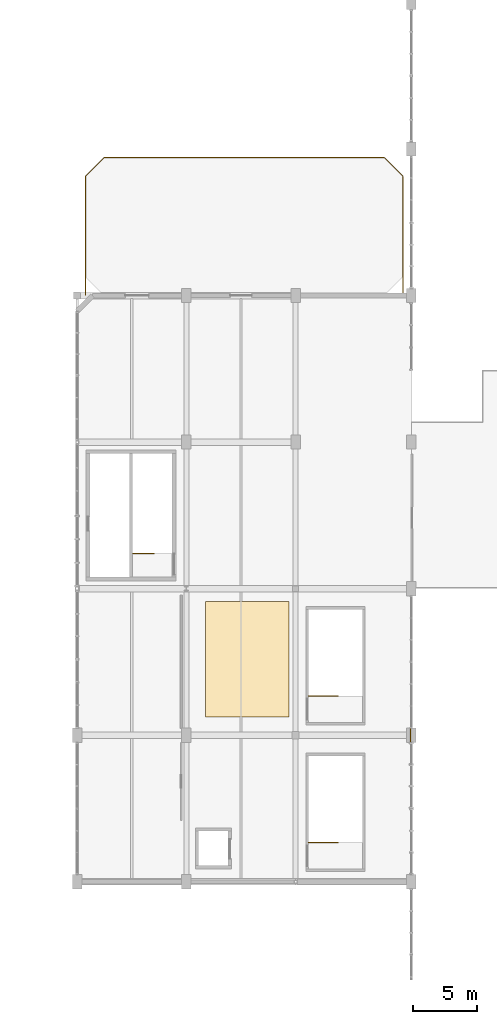
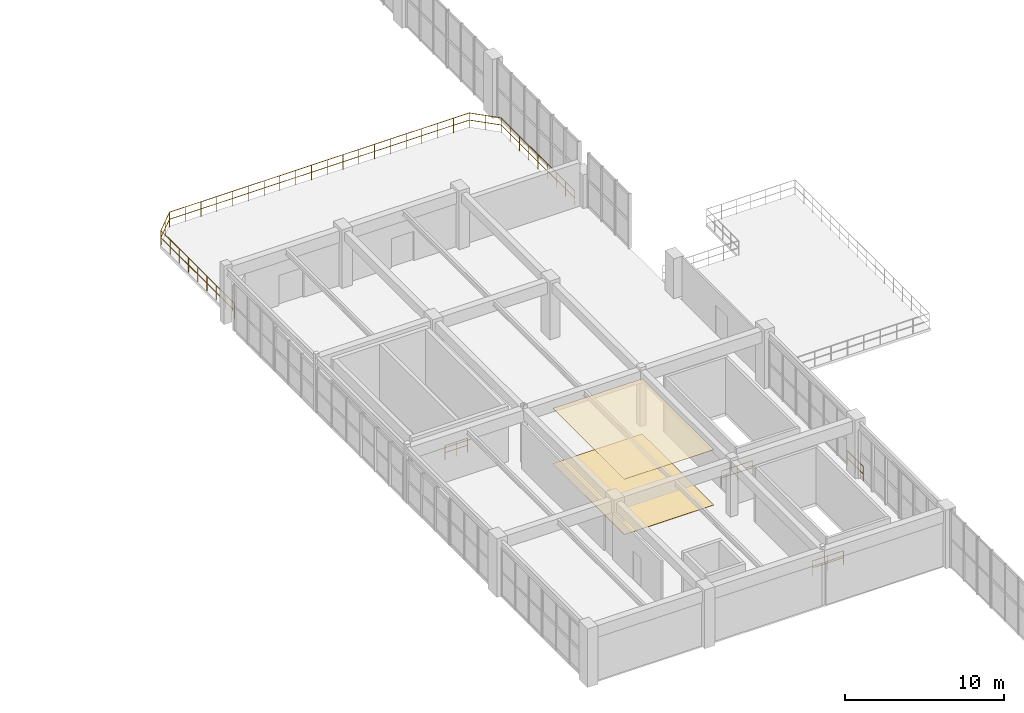
# One storey, part 77 of 80: 5 railings, 2 coverings.
"""IFC4 building model written with IfcOpenShell, lengths in metres."""

from ifc_helpers import new_model, si_unit, direction, frame, origin, origin_2d, place, context, subcontext, project, spatial, polyline, circle, outline, extrude, material, layer, layer_set, type_object, element, save


model = new_model("IFC4")

# Units and contexts
model_context = context("Model", 3, precision=1e-05, world=origin(), true_north=direction((0.0, 1.0)))
body_context = subcontext(model_context, "Body", "Model", "MODEL_VIEW")
ifc_project = project(units=[si_unit("LENGTHUNIT", "METRE"), si_unit("AREAUNIT", "SQUARE_METRE"), si_unit("VOLUMEUNIT", "CUBIC_METRE"), si_unit("PLANEANGLEUNIT", "RADIAN"), si_unit("MASSUNIT", "GRAM", prefix="KILO"), si_unit("POWERUNIT", "WATT"), si_unit("THERMODYNAMICTEMPERATUREUNIT", "KELVIN")], contexts=[model_context])

# Site, building, storey
site_placement = place(None, origin())
site = spatial("IfcSite", under=ifc_project, at=site_placement, CompositionType="ELEMENT")
building_placement = place(site_placement, origin())
building = spatial("IfcBuilding", under=site, at=building_placement, Name="Kelmbourne Parkland Aquatics Centre", CompositionType="ELEMENT")
storey_placement = place(building_placement, frame((0.0, 0.0, 10.199951171875)))
storey = spatial("IfcBuildingStorey", under=building, at=storey_placement, Name="L02", CompositionType="ELEMENT", Elevation=10.199951171875)

# Coverings
ifc_material_1 = material(Name="Moisture-resistant acoustic mineral-fibre baffle ceiling", Category="gypsum")
ifc_layer_1 = layer(ifc_material_1, 0.02490234375)
ifc_layer_set_1 = layer_set([ifc_layer_1], Name="Moisture-resistant acoustic mineral-fibre baffle ceiling")
covering_type_1 = type_object("IfcCoveringType", Name="COV-CLG-AC", PredefinedType="CEILING", material=ifc_layer_set_1)
covering_1_placement = place(storey_placement, frame((0.0, 0.0, 4.235107421875)))
element("IfcCovering", 1, at=covering_1_placement, inside=storey, type_object=covering_type_1, Name="ClubOffices acoustic ceiling baffles", PredefinedType="CEILING", context=body_context, shape_type="SweptSolid", body=[
    extrude(outline(polyline([(112.0, 25.0), (118.5, 25.0), (118.5, 34.0), (112.0, 34.0), (112.0, 25.0)])), origin(), (0.0, 0.0, 1.0), 0.02490234375),
])
ifc_material_2 = material(Name="Anti-slip vitrified ceramic aquatic deck tile", Category="ceramic")
ifc_layer_2 = layer(ifc_material_2, 0.02001953125)
ifc_layer_set_2 = layer_set([ifc_layer_2], Name="Anti-slip vitrified ceramic aquatic deck tile")
covering_type_2 = type_object("IfcCoveringType", Name="COV-FLR-TILE", PredefinedType="FLOORING", material=ifc_layer_set_2)
covering_2_placement = place(storey_placement, origin())
element("IfcCovering", 2, at=covering_2_placement, inside=storey, type_object=covering_type_2, Name="ClubOffices anti-slip floor tiling", PredefinedType="FLOORING", context=body_context, shape_type="SweptSolid", body=[
    extrude(outline(polyline([(112.0, 25.0), (118.5, 25.0), (118.5, 34.0), (112.0, 34.0), (112.0, 25.0)])), origin(), (0.0, 0.0, 1.0), 0.02001953125),
])

# Railings
ifc_material_3 = material(Name="Grade 316 stainless steel and laminated glass balustrade", Category="glass")
ifc_layer_3 = layer(ifc_material_3, 0.06005859375)
ifc_layer_set_3 = layer_set([ifc_layer_3], Name="Grade 316 stainless steel and laminated glass balustrade")
railing_type_1 = type_object("IfcRailingType", Name="RL-BL-114", PredefinedType="BALUSTRADE", material=ifc_layer_set_3)
railing_1_placement = place(storey_placement, frame((102.64990234375, 57.820068359375, 0.0)))
element("IfcRailing", 3, at=railing_1_placement, inside=storey, type_object=railing_type_1, Name="Safety balustrade BAL-TER-L02-V4", PredefinedType="BALUSTRADE", context=body_context, shape_type="SweptSolid", body=[
    extrude(circle(Radius=0.02392578125, at=origin_2d()), frame((0.0, 0.0, 1.11572265625), z_axis=(0.0, 1.0, 0.0), x_axis=(-1.0, 0.0, 0.0)), (0.0, 0.0, 1.0), 9.260009765625),
    extrude(circle(Radius=0.02392578125, at=origin_2d()), frame((0.0, 0.0, 0.56982421875), z_axis=(0.0, 1.0, 0.0), x_axis=(-1.0, 0.0, 0.0)), (0.0, 0.0, 1.0), 9.260009765625),
    extrude(circle(Radius=0.02392578125, at=origin_2d()), frame((0.0, 9.260009765625, 1.11572265625), z_axis=(0.707165493918, 0.70704806358, 0.0), x_axis=(-0.70704806358, 0.707165493918, 0.0)), (0.0, 0.0, 1.0), 2.0791015625),
    extrude(circle(Radius=0.02392578125, at=origin_2d()), frame((0.0, 9.260009765625, 0.56982421875), z_axis=(0.707165493918, 0.70704806358, 0.0), x_axis=(-0.70704806358, 0.707165493918, 0.0)), (0.0, 0.0, 1.0), 2.0791015625),
    extrude(circle(Radius=0.02392578125, at=origin_2d()), frame((1.47021484375, 10.72998046875, 1.11572265625), z_axis=(1.0, 0.0, 0.0), x_axis=(0.0, 1.0, 0.0)), (0.0, 0.0, 1.0), 21.759765625),
    extrude(circle(Radius=0.02392578125, at=origin_2d()), frame((1.47021484375, 10.72998046875, 0.56982421875), z_axis=(1.0, 0.0, 0.0), x_axis=(0.0, 1.0, 0.0)), (0.0, 0.0, 1.0), 21.759765625),
    extrude(circle(Radius=0.02392578125, at=origin_2d()), frame((23.22998046875, 10.72998046875, 1.11572265625), z_axis=(0.707165493918, -0.70704806358, 0.0), x_axis=(0.70704806358, 0.707165493918, 0.0)), (0.0, 0.0, 1.0), 2.0791015625),
    extrude(circle(Radius=0.02392578125, at=origin_2d()), frame((23.22998046875, 10.72998046875, 0.56982421875), z_axis=(0.707165493918, -0.70704806358, 0.0), x_axis=(0.70704806358, 0.707165493918, 0.0)), (0.0, 0.0, 1.0), 2.0791015625),
    extrude(circle(Radius=0.02392578125, at=origin_2d()), frame((24.7001953125, 9.260009765625, 1.11572265625), z_axis=(0.0, -1.0, 0.0), x_axis=(1.0, 0.0, 0.0)), (0.0, 0.0, 1.0), 9.260009765625),
    extrude(circle(Radius=0.02392578125, at=origin_2d()), frame((24.7001953125, 9.260009765625, 0.56982421875), z_axis=(0.0, -1.0, 0.0), x_axis=(1.0, 0.0, 0.0)), (0.0, 0.0, 1.0), 9.260009765625),
    extrude(circle(Radius=0.02099609375, at=origin_2d()), origin(), (0.0, 0.0, 1.0), 1.091796875),
    extrude(circle(Radius=0.02099609375, at=origin_2d()), frame((0.0, 1.157470703125, 0.0)), (0.0, 0.0, 1.0), 1.091796875),
    extrude(circle(Radius=0.02099609375, at=origin_2d()), frame((0.0, 2.31494140625, 0.0)), (0.0, 0.0, 1.0), 1.091796875),
    extrude(circle(Radius=0.02099609375, at=origin_2d()), frame((0.0, 3.472412109375, 0.0)), (0.0, 0.0, 1.0), 1.091796875),
    extrude(circle(Radius=0.02099609375, at=origin_2d()), frame((0.0, 4.6298828125, 0.0)), (0.0, 0.0, 1.0), 1.091796875),
    extrude(circle(Radius=0.02099609375, at=origin_2d()), frame((0.0, 5.78759765625, 0.0)), (0.0, 0.0, 1.0), 1.091796875),
    extrude(circle(Radius=0.02099609375, at=origin_2d()), frame((0.0, 6.945068359375, 0.0)), (0.0, 0.0, 1.0), 1.091796875),
    extrude(circle(Radius=0.02099609375, at=origin_2d()), frame((0.0, 8.1025390625, 0.0)), (0.0, 0.0, 1.0), 1.091796875),
    extrude(circle(Radius=0.02099609375, at=origin_2d()), frame((0.0, 9.260009765625, 0.0)), (0.0, 0.0, 1.0), 1.091796875),
    extrude(circle(Radius=0.02099609375, at=origin_2d()), frame((0.735107421875, 9.9951171875, 0.0)), (0.0, 0.0, 1.0), 1.091796875),
    extrude(circle(Radius=0.02099609375, at=origin_2d()), frame((1.47021484375, 10.72998046875, 0.0)), (0.0, 0.0, 1.0), 1.091796875),
    extrude(circle(Radius=0.02099609375, at=origin_2d()), frame((2.615478515625, 10.72998046875, 0.0)), (0.0, 0.0, 1.0), 1.091796875),
    extrude(circle(Radius=0.02099609375, at=origin_2d()), frame((3.7607421875, 10.72998046875, 0.0)), (0.0, 0.0, 1.0), 1.091796875),
    extrude(circle(Radius=0.02099609375, at=origin_2d()), frame((4.906005859375, 10.72998046875, 0.0)), (0.0, 0.0, 1.0), 1.091796875),
    extrude(circle(Radius=0.02099609375, at=origin_2d()), frame((6.05126953125, 10.72998046875, 0.0)), (0.0, 0.0, 1.0), 1.091796875),
    extrude(circle(Radius=0.02099609375, at=origin_2d()), frame((7.196533203125, 10.72998046875, 0.0)), (0.0, 0.0, 1.0), 1.091796875),
    extrude(circle(Radius=0.02099609375, at=origin_2d()), frame((8.341796875, 10.72998046875, 0.0)), (0.0, 0.0, 1.0), 1.091796875),
    extrude(circle(Radius=0.02099609375, at=origin_2d()), frame((9.487060546875, 10.72998046875, 0.0)), (0.0, 0.0, 1.0), 1.091796875),
    extrude(circle(Radius=0.02099609375, at=origin_2d()), frame((10.63232421875, 10.72998046875, 0.0)), (0.0, 0.0, 1.0), 1.091796875),
    extrude(circle(Radius=0.02099609375, at=origin_2d()), frame((11.777587890625, 10.72998046875, 0.0)), (0.0, 0.0, 1.0), 1.091796875),
    extrude(circle(Radius=0.02099609375, at=origin_2d()), frame((12.922607421875, 10.72998046875, 0.0)), (0.0, 0.0, 1.0), 1.091796875),
    extrude(circle(Radius=0.02099609375, at=origin_2d()), frame((14.06787109375, 10.72998046875, 0.0)), (0.0, 0.0, 1.0), 1.091796875),
    extrude(circle(Radius=0.02099609375, at=origin_2d()), frame((15.213134765625, 10.72998046875, 0.0)), (0.0, 0.0, 1.0), 1.091796875),
    extrude(circle(Radius=0.02099609375, at=origin_2d()), frame((16.3583984375, 10.72998046875, 0.0)), (0.0, 0.0, 1.0), 1.091796875),
    extrude(circle(Radius=0.02099609375, at=origin_2d()), frame((17.503662109375, 10.72998046875, 0.0)), (0.0, 0.0, 1.0), 1.091796875),
    extrude(circle(Radius=0.02099609375, at=origin_2d()), frame((18.64892578125, 10.72998046875, 0.0)), (0.0, 0.0, 1.0), 1.091796875),
    extrude(circle(Radius=0.02099609375, at=origin_2d()), frame((19.794189453125, 10.72998046875, 0.0)), (0.0, 0.0, 1.0), 1.091796875),
    extrude(circle(Radius=0.02099609375, at=origin_2d()), frame((20.939453125, 10.72998046875, 0.0)), (0.0, 0.0, 1.0), 1.091796875),
    extrude(circle(Radius=0.02099609375, at=origin_2d()), frame((22.084716796875, 10.72998046875, 0.0)), (0.0, 0.0, 1.0), 1.091796875),
    extrude(circle(Radius=0.02099609375, at=origin_2d()), frame((23.22998046875, 10.72998046875, 0.0)), (0.0, 0.0, 1.0), 1.091796875),
    extrude(circle(Radius=0.02099609375, at=origin_2d()), frame((23.965087890625, 9.9951171875, 0.0)), (0.0, 0.0, 1.0), 1.091796875),
    extrude(circle(Radius=0.02099609375, at=origin_2d()), frame((24.7001953125, 9.260009765625, 0.0)), (0.0, 0.0, 1.0), 1.091796875),
    extrude(circle(Radius=0.02099609375, at=origin_2d()), frame((24.7001953125, 8.1025390625, 0.0)), (0.0, 0.0, 1.0), 1.091796875),
    extrude(circle(Radius=0.02099609375, at=origin_2d()), frame((24.7001953125, 6.945068359375, 0.0)), (0.0, 0.0, 1.0), 1.091796875),
    extrude(circle(Radius=0.02099609375, at=origin_2d()), frame((24.7001953125, 5.78759765625, 0.0)), (0.0, 0.0, 1.0), 1.091796875),
    extrude(circle(Radius=0.02099609375, at=origin_2d()), frame((24.7001953125, 4.6298828125, 0.0)), (0.0, 0.0, 1.0), 1.091796875),
    extrude(circle(Radius=0.02099609375, at=origin_2d()), frame((24.7001953125, 3.472412109375, 0.0)), (0.0, 0.0, 1.0), 1.091796875),
    extrude(circle(Radius=0.02099609375, at=origin_2d()), frame((24.7001953125, 2.31494140625, 0.0)), (0.0, 0.0, 1.0), 1.091796875),
    extrude(circle(Radius=0.02099609375, at=origin_2d()), frame((24.7001953125, 1.157470703125, 0.0)), (0.0, 0.0, 1.0), 1.091796875),
    extrude(circle(Radius=0.02099609375, at=origin_2d()), frame((24.7001953125, 0.0, 0.0)), (0.0, 0.0, 1.0), 1.091796875),
])
railing_2_placement = place(storey_placement, frame((127.949951171875, 22.60009765625, 0.0)))
element("IfcRailing", 4, at=railing_2_placement, inside=storey, type_object=railing_type_1, Name="Safety balustrade BAL-JCT-1", PredefinedType="BALUSTRADE", context=body_context, shape_type="SweptSolid", body=[
    extrude(circle(Radius=0.02392578125, at=origin_2d()), frame((0.0, 0.0, 1.11572265625), z_axis=(0.0, 1.0, 0.0), x_axis=(-1.0, 0.0, 0.0)), (0.0, 0.0, 1.0), 2.0),
    extrude(circle(Radius=0.02392578125, at=origin_2d()), frame((0.0, 0.0, 0.56982421875), z_axis=(0.0, 1.0, 0.0), x_axis=(-1.0, 0.0, 0.0)), (0.0, 0.0, 1.0), 2.0),
    extrude(circle(Radius=0.02099609375, at=origin_2d()), origin(), (0.0, 0.0, 1.0), 1.091796875),
    extrude(circle(Radius=0.02099609375, at=origin_2d()), frame((0.0, 1.0, 0.0)), (0.0, 0.0, 1.0), 1.091796875),
    extrude(circle(Radius=0.02099609375, at=origin_2d()), frame((0.0, 2.0, 0.0)), (0.0, 0.0, 1.0), 1.091796875),
])
ifc_material_4 = material(Name="Grade 316 marine stainless steel", Category="steel")
railing_type_2 = type_object("IfcRailingType", Name="RL-GD-112", PredefinedType="GUARDRAIL", material=ifc_material_4)
railing_3_placement = place(storey_placement, frame((106.344970703125, 37.75, 0.0)))
element("IfcRailing", 5, at=railing_3_placement, inside=storey, type_object=railing_type_2, Name="East Spine Club and Village Core Stair ST04 top well guardrail", PredefinedType="GUARDRAIL", context=body_context, shape_type="SweptSolid", body=[
    extrude(circle(Radius=0.02392578125, at=origin_2d()), frame((0.0, 0.0, 1.09619140625), z_axis=(1.0, 0.0, 0.0), x_axis=(0.0, 1.0, 0.0)), (0.0, 0.0, 1.0), 1.635009765625),
    extrude(circle(Radius=0.02392578125, at=origin_2d()), frame((0.0, 0.0, 0.56005859375), z_axis=(1.0, 0.0, 0.0), x_axis=(0.0, 1.0, 0.0)), (0.0, 0.0, 1.0), 1.635009765625),
    extrude(circle(Radius=0.02099609375, at=origin_2d()), origin(), (0.0, 0.0, 1.0), 1.072021484375),
    extrude(circle(Radius=0.02099609375, at=origin_2d()), frame((0.8173828125, 0.0, 0.0)), (0.0, 0.0, 1.0), 1.072021484375),
    extrude(circle(Radius=0.02099609375, at=origin_2d()), frame((1.635009765625, 0.0, 0.0)), (0.0, 0.0, 1.0), 1.072021484375),
])
for number, where, name in (
    (6, (120.02001953125, 15.25, 0.0), "South East Concourse Exit Stair top well guardrail"),
    (7, (120.02001953125, 26.64990234375, 0.0), "East Club Terrace Exit Stair top well guardrail"),
):
    element("IfcRailing", number, at=place(storey_placement, frame(where)), inside=storey, type_object=railing_type_2, Name=name, PredefinedType="GUARDRAIL", context=body_context, shape_type="SweptSolid", body=[
        extrude(circle(Radius=0.02392578125, at=origin_2d()), frame((0.0, 0.0, 1.09619140625), z_axis=(1.0, 0.0, 0.0), x_axis=(0.0, 1.0, 0.0)), (0.0, 0.0, 1.0), 2.260009765625),
        extrude(circle(Radius=0.02392578125, at=origin_2d()), frame((0.0, 0.0, 0.56005859375), z_axis=(1.0, 0.0, 0.0), x_axis=(0.0, 1.0, 0.0)), (0.0, 0.0, 1.0), 2.260009765625),
        extrude(circle(Radius=0.02099609375, at=origin_2d()), origin(), (0.0, 0.0, 1.0), 1.072021484375),
        extrude(circle(Radius=0.02099609375, at=origin_2d()), frame((1.1298828125, 0.0, 0.0)), (0.0, 0.0, 1.0), 1.072021484375),
        extrude(circle(Radius=0.02099609375, at=origin_2d()), frame((2.260009765625, 0.0, 0.0)), (0.0, 0.0, 1.0), 1.072021484375),
    ])

save(model, "model.ifc")
